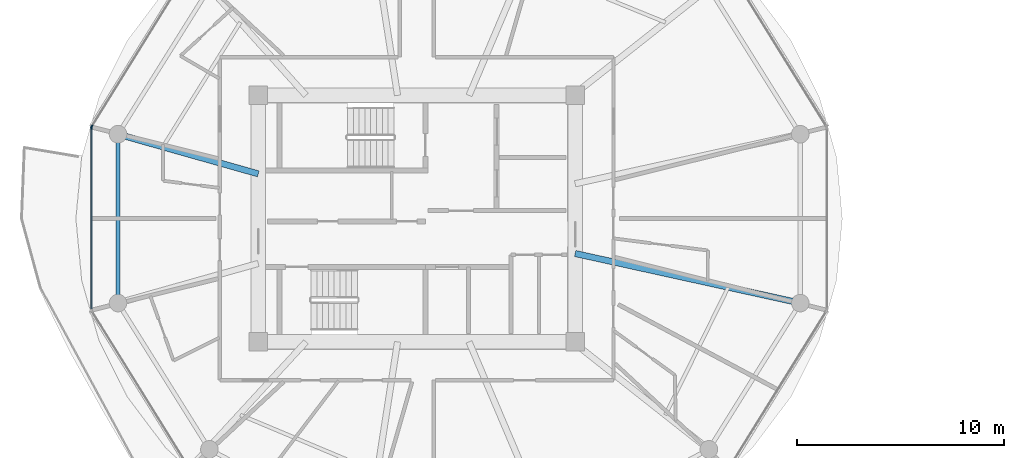
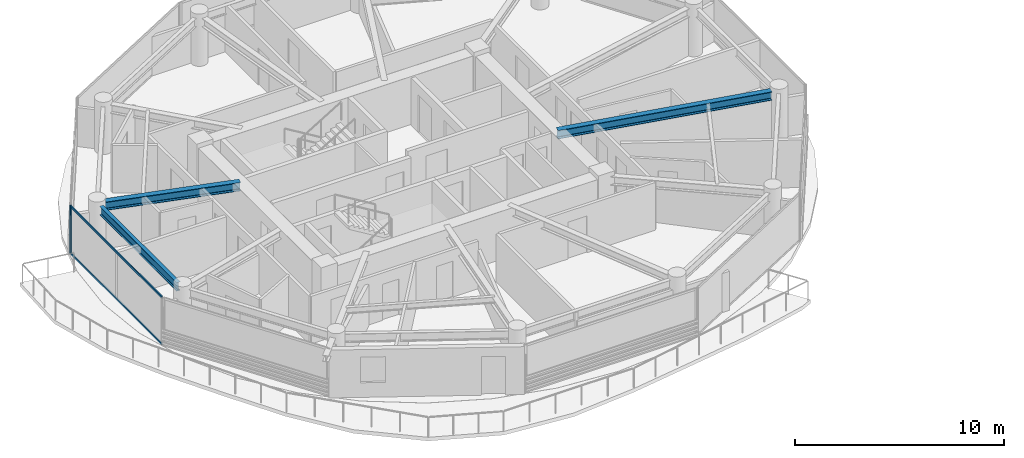
# One storey, part 3 of 24: 4 members, 3 beams, 2 elements without a shape of their own.
"""IFC4 building model written with IfcOpenShell, lengths in metres."""

from ifc_helpers import new_model, si_unit, direction, frame, origin, origin_2d, place, context, subcontext, project, spatial, rectangle, i_section, extrude, source, transform, mapped, material, layer, layer_set, material_profile, profile_set, type_object, type_shapes, element, aggregate, save


model = new_model("IFC4")

# Units and contexts
model_context = context("Model", 3, precision=1e-05, world=origin(), true_north=direction((0.0, 1.0)))
body_context = subcontext(model_context, "Body", "Model", "MODEL_VIEW")
ifc_project = project(units=[si_unit("LENGTHUNIT", "METRE"), si_unit("AREAUNIT", "SQUARE_METRE"), si_unit("VOLUMEUNIT", "CUBIC_METRE"), si_unit("PLANEANGLEUNIT", "RADIAN"), si_unit("MASSUNIT", "GRAM", prefix="KILO")], contexts=[model_context])

# Site, building, storey
site_placement = place(None, origin())
site = spatial("IfcSite", under=ifc_project, at=site_placement, CompositionType="ELEMENT")
building_placement = place(site_placement, origin())
building = spatial("IfcBuilding", under=site, at=building_placement, Name="Norrkilde Senior Care Towers", CompositionType="ELEMENT")
storey_placement = place(building_placement, frame((0.0, 0.0, 105.39990234375)))
storey = spatial("IfcBuildingStorey", under=building, at=storey_placement, Name="L32", CompositionType="ELEMENT", Elevation=105.39990234375)

# Beams
ifc_material_1 = material(Name="Steel S355", Category="steel")
ifc_material_profile_1 = material_profile(ifc_material_1, i_section(OverallWidth=0.300048828125, OverallDepth=0.5, WebThickness=0.014404296875, FlangeThickness=0.028076171875, FilletRadius=0.027099609375, at=origin_2d()), Name="HEB 500")
ifc_profile_set_1 = profile_set([ifc_material_profile_1], Name="Steel S355")
beam_type_1 = type_object("IfcBeamType", Name="Radial Floor Beam Z2 HEB500", PredefinedType="BEAM", material=ifc_profile_set_1)
shared_shape_1 = source(origin(), body_context, "Body", "SweptSolid", [
    extrude(i_section(OverallWidth=0.300048828125, OverallDepth=0.5, WebThickness=0.014404296875, FlangeThickness=0.028076171875, FilletRadius=0.027099609375, at=origin_2d()), origin(), (0.0, 0.0, 1.0), 10.744384765625),
])
beam_1_placement = place(storey_placement, frame((-20.35009765625, -1.683837890625, 2.5400390625), z_axis=(0.976618711422, -0.214978818724, 0.0), x_axis=(0.214978818724, 0.976618711422, 0.0)))
element("IfcBeam", 1, at=beam_1_placement, inside=storey, type_object=beam_type_1, Name="L32 Drum W Radial Floor Beam 12", PredefinedType="BEAM", context=body_context, shape_type="MappedRepresentation", body=[
    mapped(shared_shape_1, transform((0.0, 0.0, 0.0), x_axis=(1.0, 0.0, 0.0), y_axis=(0.0, 1.0, 0.0), z_axis=(0.0, 0.0, 1.0), scale=1.0)),
])
ifc_material_profile_2 = material_profile(ifc_material_1, i_section(OverallWidth=0.199951171875, OverallDepth=0.5, WebThickness=0.01025390625, FlangeThickness=0.01611328125, FilletRadius=0.02099609375, at=origin_2d()), Name="IPE 500")
ifc_profile_set_2 = profile_set([ifc_material_profile_2], Name="Steel S355")
beam_type_2 = type_object("IfcBeamType", Name="Perimeter Ring Spandrel Z2 IPE500", PredefinedType="SPANDREL", material=ifc_profile_set_2)
shared_shape_2 = source(origin(), body_context, "Body", "SweptSolid", [
    extrude(i_section(OverallWidth=0.199951171875, OverallDepth=0.5, WebThickness=0.01025390625, FlangeThickness=0.01611328125, FilletRadius=0.02099609375, at=origin_2d()), origin(), (0.0, 0.0, 1.0), 7.3828125),
])
type_shapes(beam_type_2, [shared_shape_2])
beam_2_placement = place(storey_placement, frame((-42.4189453125, 3.69140625, 2.5400390625), z_axis=(0.0, -1.0, 0.0), x_axis=(1.0, 0.0, 0.0)))
element("IfcBeam", 2, at=beam_2_placement, inside=storey, type_object=beam_type_2, Name="L32 Drum W Perimeter Spandrel 06", PredefinedType="SPANDREL", context=body_context, shape_type="MappedRepresentation", body=[
    mapped(shared_shape_2, transform((0.0, 0.0, 0.0), x_axis=(1.0, 0.0, 0.0), y_axis=(0.0, 1.0, 0.0), z_axis=(0.0, 0.0, 1.0), scale=1.0)),
])
shared_shape_3 = source(origin(), body_context, "Body", "SweptSolid", [
    extrude(i_section(OverallWidth=0.300048828125, OverallDepth=0.5, WebThickness=0.014404296875, FlangeThickness=0.028076171875, FilletRadius=0.027099609375, at=origin_2d()), origin(), (0.0, 0.0, 1.0), 6.6494140625),
])
type_shapes(beam_type_1, [shared_shape_1, shared_shape_3])
beam_3_placement = place(storey_placement, frame((-35.64990234375, 2.162841796875, 2.5400390625), z_axis=(-0.962289138357, 0.27202870106, 0.0), x_axis=(-0.27202870106, -0.962289138357, 0.0)))
element("IfcBeam", 3, at=beam_3_placement, inside=storey, type_object=beam_type_1, Name="L32 Drum W Radial Floor Beam 06", PredefinedType="BEAM", context=body_context, shape_type="MappedRepresentation", body=[
    mapped(shared_shape_3, transform((0.0, 0.0, 0.0), x_axis=(1.0, 0.0, 0.0), y_axis=(0.0, 1.0, 0.0), z_axis=(0.0, 0.0, 1.0), scale=1.0)),
])

# Curtain wall, member
ifc_material_2 = material(Name="Triple Low-E Insulated Glazing", Category="glass")
ifc_layer = layer(ifc_material_2, 0.195068359375)
ifc_layer_set = layer_set([ifc_layer], Name="Triple Low-E Insulated Glazing")
curtain_wall_type = type_object("IfcCurtainWallType", Name="CW3 Zone 2 Assisted Living Curtain Wall", PredefinedType="NOTDEFINED", material=ifc_layer_set)
curtain_wall_1_placement = place(storey_placement, origin())
curtain_wall_1 = element("IfcCurtainWall", 4, at=curtain_wall_1_placement, inside=storey, type_object=curtain_wall_type, Name="L32 Drum W Curtain Wall 04", PredefinedType="NOTDEFINED")
ifc_material_3 = material(Name="Anodised Aluminium", Category="aluminium")
ifc_material_profile_3 = material_profile(ifc_material_3, rectangle(XDim=0.06494140625, YDim=0.159912109375, at=origin_2d()), Name="ALU MULL 65x160")
ifc_profile_set_3 = profile_set([ifc_material_profile_3], Name="Anodised Aluminium")
member_type_1 = type_object("IfcMemberType", Name="Curtain Wall Mullion Z1-Z2 65x160", PredefinedType="MULLION", material=ifc_profile_set_3)
shared_shape_4 = source(origin(), body_context, "Body", "SweptSolid", [
    extrude(rectangle(XDim=0.06494140625, YDim=0.159912109375, at=origin_2d()), origin(), (0.0, 0.0, 1.0), 2.7900390625),
])
type_shapes(member_type_1, [shared_shape_4])
member_1_placement = place(storey_placement, frame((-43.6865234375, 4.4482421875, 0.0), z_axis=(0.0, 0.0, 1.0), x_axis=(-0.849410171862, 0.527733228002, 0.0)))
member_1 = element("IfcMember", 5, at=member_1_placement, type_object=member_type_1, Name="CW-3 mullion 1", PredefinedType="MULLION", context=body_context, shape_type="MappedRepresentation", body=[
    mapped(shared_shape_4, transform((0.0, 0.0, 0.0), x_axis=(1.0, 0.0, 0.0), y_axis=(0.0, 1.0, 0.0), z_axis=(0.0, 0.0, 1.0), scale=1.0)),
])
aggregate(curtain_wall_1, [member_1])

# Curtain wall, members
curtain_wall_2_placement = place(storey_placement, origin())
curtain_wall_2 = element("IfcCurtainWall", 6, at=curtain_wall_2_placement, inside=storey, type_object=curtain_wall_type, Name="L32 Drum W Curtain Wall 05", PredefinedType="NOTDEFINED")
member_2_placement = place(storey_placement, frame((-43.70361328125, 4.38818359375, 0.0), z_axis=(0.0, 0.0, 1.0), x_axis=(-1.0, 0.0, 0.0)))
member_2 = element("IfcMember", 7, at=member_2_placement, type_object=member_type_1, Name="CW-3 mullion 2", PredefinedType="MULLION", context=body_context, shape_type="MappedRepresentation", body=[
    mapped(shared_shape_4, transform((0.0, 0.0, 0.0), x_axis=(1.0, 0.0, 0.0), y_axis=(0.0, 1.0, 0.0), z_axis=(0.0, 0.0, 1.0), scale=1.0)),
])
ifc_material_profile_4 = material_profile(ifc_material_3, rectangle(XDim=0.06005859375, YDim=0.1201171875, at=origin_2d()), Name="ALU TRAN 60x120")
ifc_profile_set_4 = profile_set([ifc_material_profile_4], Name="Anodised Aluminium")
member_type_2 = type_object("IfcMemberType", Name="Curtain Wall Transom Typical 60x120", PredefinedType="USERDEFINED", material=ifc_profile_set_4)
shared_shape_5 = source(origin(), body_context, "Body", "SweptSolid", [
    extrude(rectangle(XDim=0.06005859375, YDim=0.1201171875, at=origin_2d()), origin(), (0.0, 0.0, 1.0), 8.71142578125),
])
type_shapes(member_type_2, [shared_shape_5])
member_3_placement = place(storey_placement, frame((-43.70361328125, -4.355712890625, 0.030029296875), z_axis=(0.0, 1.0, 0.0), x_axis=(-1.0, 0.0, 0.0)))
member_3 = element("IfcMember", 8, at=member_3_placement, type_object=member_type_2, Name="CW-3 transom 1.1", ObjectType="TRANSOM", PredefinedType="USERDEFINED", context=body_context, shape_type="MappedRepresentation", body=[
    mapped(shared_shape_5, transform((0.0, 0.0, 0.0), x_axis=(1.0, 0.0, 0.0), y_axis=(0.0, 1.0, 0.0), z_axis=(0.0, 0.0, 1.0), scale=1.0)),
])
member_4_placement = place(storey_placement, frame((-43.70361328125, -4.355712890625, 2.760009765625), z_axis=(0.0, 1.0, 0.0), x_axis=(-1.0, 0.0, 0.0)))
member_4 = element("IfcMember", 9, at=member_4_placement, type_object=member_type_2, Name="CW-3 transom 1.2", ObjectType="TRANSOM", PredefinedType="USERDEFINED", context=body_context, shape_type="MappedRepresentation", body=[
    mapped(shared_shape_5, transform((0.0, 0.0, 0.0), x_axis=(1.0, 0.0, 0.0), y_axis=(0.0, 1.0, 0.0), z_axis=(0.0, 0.0, 1.0), scale=1.0)),
])
aggregate(curtain_wall_2, [member_2, member_3, member_4])

save(model, "model.ifc")
